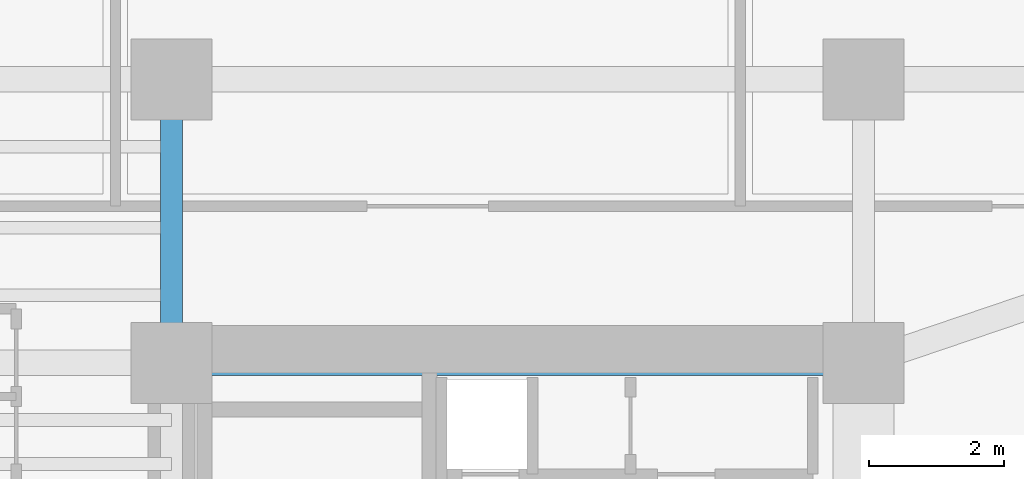
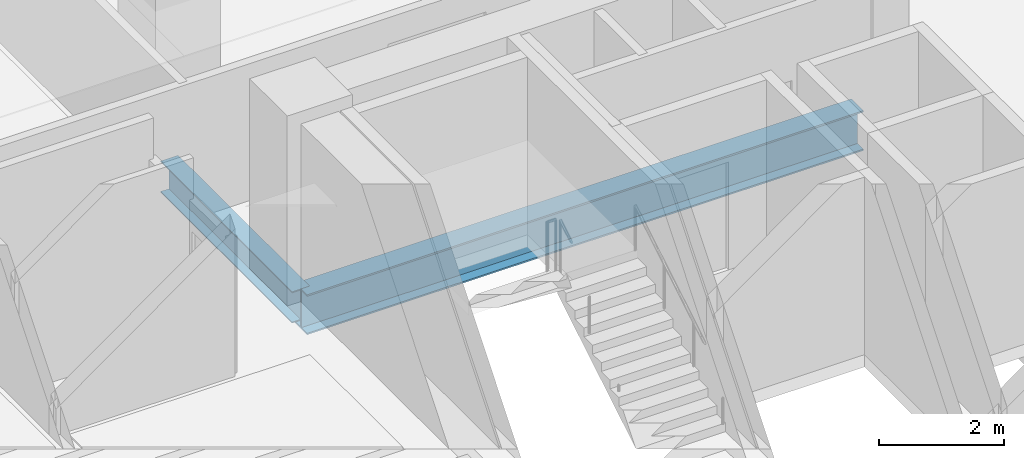
# One storey, part 10 of 37: 2 beams.
"""IFC4 building model written with IfcOpenShell, lengths in metres."""

from ifc_helpers import new_model, si_unit, direction, frame, origin, origin_2d, place, context, subcontext, project, spatial, i_section, extrude, source, transform, mapped, material, material_profile, profile_set, type_object, element, save


model = new_model("IFC4")

# Units and contexts
model_context = context("Model", 3, precision=1e-05, world=origin(), true_north=direction((0.0, 1.0)))
body_context = subcontext(model_context, "Body", "Model", "MODEL_VIEW")
ifc_project = project(units=[si_unit("LENGTHUNIT", "METRE"), si_unit("AREAUNIT", "SQUARE_METRE"), si_unit("VOLUMEUNIT", "CUBIC_METRE"), si_unit("PLANEANGLEUNIT", "RADIAN"), si_unit("MASSUNIT", "GRAM", prefix="KILO")], contexts=[model_context])

# Site, building, storey
site_placement = place(None, origin())
site = spatial("IfcSite", under=ifc_project, at=site_placement, CompositionType="ELEMENT")
building_placement = place(site_placement, origin())
building = spatial("IfcBuilding", under=site, at=building_placement, Name="Valdorenza Pilgrim Sanctuary Tower", CompositionType="ELEMENT")
storey_placement = place(building_placement, frame((0.0, 0.0, 135.300048828125)))
storey = spatial("IfcBuildingStorey", under=building, at=storey_placement, Name="L34", CompositionType="ELEMENT", Elevation=135.300048828125)

# Beams
ifc_material = material(Name="Steel ASTM A992 Grade 50", Category="steel")
ifc_material_profile_1 = material_profile(ifc_material, i_section(OverallWidth=0.323974609375, OverallDepth=0.611083984375, WebThickness=0.0126953125, FlangeThickness=0.01904296875, at=origin_2d()), Name="W24X104")
ifc_profile_set_1 = profile_set([ifc_material_profile_1], Name="Steel ASTM A992 Grade 50")
beam_type_1 = type_object("IfcBeamType", Name="STR-BM-GRD-W24B", PredefinedType="BEAM", material=ifc_profile_set_1)
shared_shape_1 = source(origin(), body_context, "Body", "SweptSolid", [
    extrude(i_section(OverallWidth=0.323974609375, OverallDepth=0.611083984375, WebThickness=0.0126953125, FlangeThickness=0.01904296875, at=origin_2d()), origin(), (0.0, 0.0, 1.0), 4.199951171875),
])
beam_1_placement = place(storey_placement, frame((-22.64990234375, 10.60009765625, -0.545654296875), z_axis=(0.0, 1.0, 0.0), x_axis=(-1.0, 0.0, 0.0)))
element("IfcBeam", 1, at=beam_1_placement, inside=storey, type_object=beam_type_1, Name="L34 Core Tie Girder CA-W-N1N2", PredefinedType="BEAM", context=body_context, shape_type="MappedRepresentation", body=[
    mapped(shared_shape_1, transform((0.0, 0.0, 0.0), x_axis=(1.0, 0.0, 0.0), y_axis=(0.0, 1.0, 0.0), z_axis=(0.0, 0.0, 1.0), scale=1.0)),
])
ifc_material_profile_2 = material_profile(ifc_material, i_section(OverallWidth=0.382080078125, OverallDepth=0.779052734375, WebThickness=0.01806640625, FlangeThickness=0.030029296875, at=origin_2d()), Name="W30X191")
ifc_profile_set_2 = profile_set([ifc_material_profile_2], Name="Steel ASTM A992 Grade 50")
beam_type_2 = type_object("IfcBeamType", Name="STR-BM-GRD-W30", PredefinedType="BEAM", material=ifc_profile_set_2)
shared_shape_2 = source(origin(), body_context, "Body", "SweptSolid", [
    extrude(i_section(OverallWidth=0.382080078125, OverallDepth=0.779052734375, WebThickness=0.01806640625, FlangeThickness=0.030029296875, at=origin_2d()), origin(), (0.0, 0.0, 1.0), 10.25),
])
beam_2_placement = place(storey_placement, frame((-22.64990234375, 10.60009765625, -0.629638671875), z_axis=(1.0, 0.0, 0.0), x_axis=(0.0, 1.0, 0.0)))
element("IfcBeam", 2, at=beam_2_placement, inside=storey, type_object=beam_type_2, Name="L34 Floor Girder CA-XC-N1", PredefinedType="BEAM", context=body_context, shape_type="MappedRepresentation", body=[
    mapped(shared_shape_2, transform((0.0, 0.0, 0.0), x_axis=(1.0, 0.0, 0.0), y_axis=(0.0, 1.0, 0.0), z_axis=(0.0, 0.0, 1.0), scale=1.0)),
])

save(model, "model.ifc")
